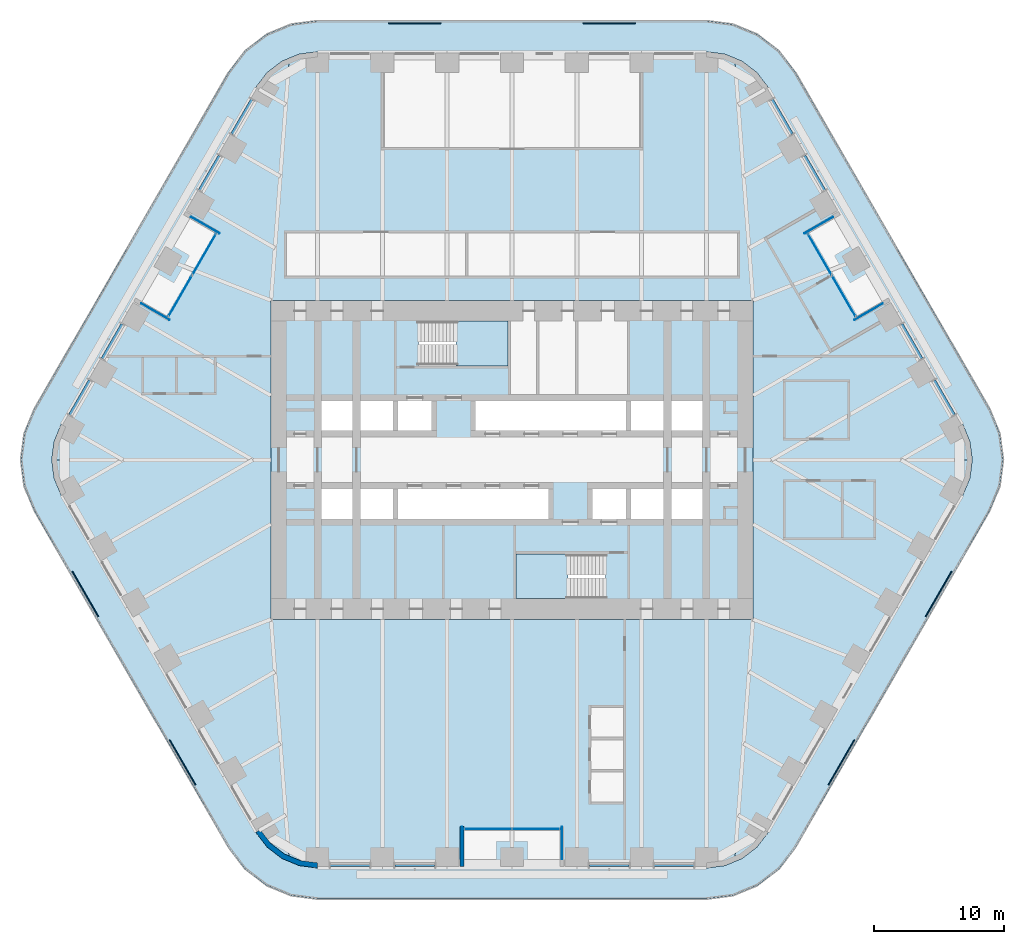
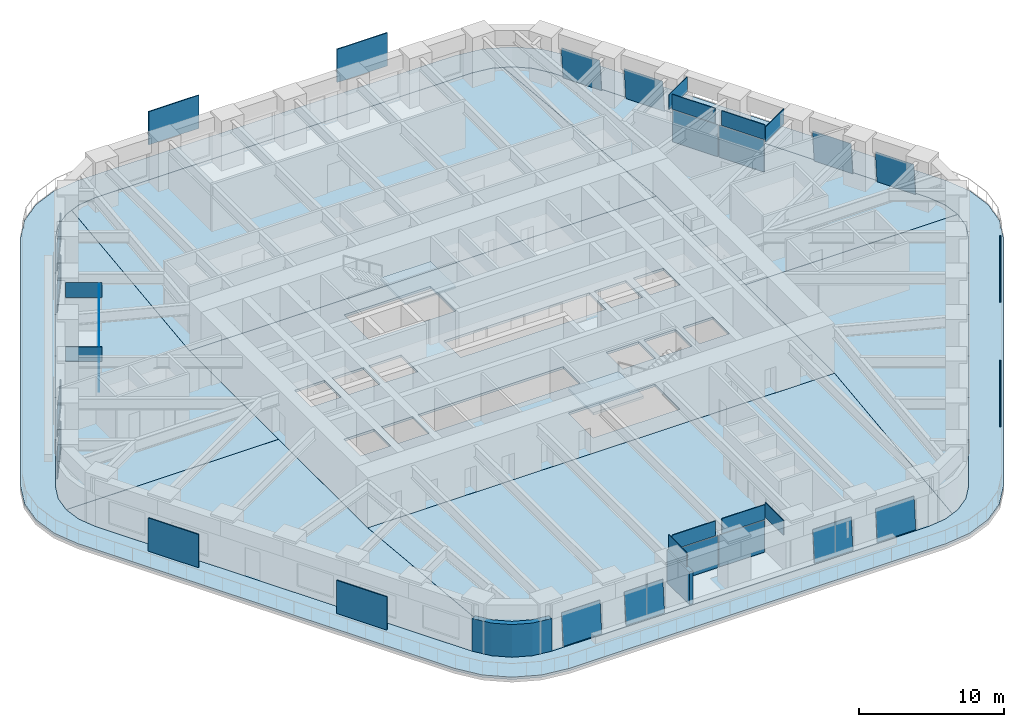
# One storey, part 16 of 24: 36 plates, 10 slabs, 2 walls, 17 elements without a shape of their own.
"""IFC4 building model written with IfcOpenShell, lengths in metres."""

from ifc_helpers import new_model, si_unit, direction, frame, frame_2d, origin, origin_2d, place, context, subcontext, project, spatial, polyline, rectangle, outline, extrude, material, layer, layer_set, type_object, element, aggregate, save


model = new_model("IFC4")

# Units and contexts
model_context = context("Model", 3, precision=1e-05, world=origin(), true_north=direction((0.0, 1.0)))
body_context = subcontext(model_context, "Body", "Model", "MODEL_VIEW")
ifc_project = project(units=[si_unit("LENGTHUNIT", "METRE"), si_unit("AREAUNIT", "SQUARE_METRE"), si_unit("VOLUMEUNIT", "CUBIC_METRE"), si_unit("PLANEANGLEUNIT", "RADIAN"), si_unit("MASSUNIT", "GRAM", prefix="KILO")], contexts=[model_context])

# Site, building, storey
site_placement = place(None, origin())
site = spatial("IfcSite", under=ifc_project, at=site_placement, CompositionType="ELEMENT")
building_placement = place(site_placement, origin())
building = spatial("IfcBuilding", under=site, at=building_placement, Name="Tarfa Lantern Tower", CompositionType="ELEMENT")
storey_placement = place(building_placement, frame((0.0, 0.0, 136.300048828125)))
storey = spatial("IfcBuildingStorey", under=building, at=storey_placement, Name="L30", CompositionType="ELEMENT", Elevation=136.300048828125)

# Slab
ifc_material_1 = material(Name="Concrete C40/50", Category="concrete")
ifc_layer_1 = layer(ifc_material_1, 0.199951171875)
ifc_layer_set_1 = layer_set([ifc_layer_1], Name="BS2 BALCONY SLAB 200")
slab_type_1 = type_object("IfcSlabType", Name="BS2 BALCONY SLAB 200", PredefinedType="FLOOR", material=ifc_layer_set_1)
slab_1_placement = place(storey_placement, frame((0.0, 0.0, -0.199951171875)))
element("IfcSlab", 1, at=slab_1_placement, inside=storey, type_object=slab_type_1, Name="Balcony L30", PredefinedType="FLOOR", context=body_context, shape_type="SweptSolid", body=[
    extrude(outline(polyline([(36.86376953125, 3.949951171875), (21.852783203125, 29.949951171875), (20.59716796875, 31.586181640625), (18.961181640625, 32.841552734375), (17.0556640625, 33.630859375), (15.010986328125, 33.89990234375), (-15.010986328125, 33.89990234375), (-17.0556640625, 33.630859375), (-18.961181640625, 32.841552734375), (-20.59716796875, 31.586181640625), (-21.852783203125, 29.949951171875), (-36.86376953125, 3.949951171875), (-37.653076171875, 2.044677734375), (-37.922119140625, 0.0), (-37.653076171875, -2.044677734375), (-36.86376953125, -3.949951171875), (-21.852783203125, -29.949951171875), (-20.59716796875, -31.586181640625), (-18.961181640625, -32.841552734375), (-17.0556640625, -33.630859375), (-15.010986328125, -33.89990234375), (15.010986328125, -33.89990234375), (17.0556640625, -33.630859375), (18.961181640625, -32.841552734375), (20.59716796875, -31.586181640625), (21.852783203125, -29.949951171875), (36.86376953125, -3.949951171875), (37.653076171875, -2.044677734375), (37.922119140625, 0.0), (37.653076171875, 2.044677734375), (36.86376953125, 3.949951171875)]), holes=[polyline([(34.785400390625, 2.75), (19.774169921875, 28.75), (18.900146484375, 29.88916015625), (17.760986328125, 30.76318359375), (16.4345703125, 31.3125), (15.010986328125, 31.5), (-15.010986328125, 31.5), (-16.4345703125, 31.3125), (-17.760986328125, 30.76318359375), (-18.900146484375, 29.88916015625), (-19.774169921875, 28.75), (-34.785400390625, 2.75), (-35.334716796875, 1.423583984375), (-35.522216796875, 0.0), (-35.334716796875, -1.423583984375), (-34.785400390625, -2.75), (-19.774169921875, -28.75), (-18.900146484375, -29.88916015625), (-17.760986328125, -30.76318359375), (-16.4345703125, -31.3125), (-15.010986328125, -31.5), (15.010986328125, -31.5), (16.4345703125, -31.3125), (17.760986328125, -30.76318359375), (18.900146484375, -29.88916015625), (19.774169921875, -28.75), (34.785400390625, -2.75), (35.334716796875, -1.423583984375), (35.522216796875, 0.0), (35.334716796875, 1.423583984375), (34.785400390625, 2.75)])]), origin(), (0.0, 0.0, 1.0), 0.199951171875),
])

# Curtain wall, plate
ifc_material_2 = material(Name="Aluminium framed curtain wall", Category="aluminium")
curtain_wall_type_1 = type_object("IfcCurtainWallType", Name="CW2 CANTED GLAZING MID ZONE 2750", PredefinedType="USERDEFINED", material=ifc_material_2)
curtain_wall_1_placement = place(storey_placement, origin())
curtain_wall_1 = element("IfcCurtainWall", 2, at=curtain_wall_1_placement, inside=storey, type_object=curtain_wall_type_1, Name="CW2 NE L30", ObjectType="CURTAIN WALL", PredefinedType="USERDEFINED")
ifc_material_3 = material(Name="Laminated double glazing", Category="glass")
ifc_layer_2 = layer(ifc_material_3, 0.028076171875)
ifc_layer_set_2 = layer_set([ifc_layer_2], Name="CWP1 DOUBLE GLAZED PANEL")
plate_type_1 = type_object("IfcPlateType", Name="CWP1 DOUBLE GLAZED PANEL", PredefinedType="CURTAIN_PANEL", material=ifc_layer_set_2)
plate_1_placement = place(storey_placement, frame((34.21630859375, 3.53564453125, 0.0), z_axis=(0.862474203143, 0.497938745246, 0.090527647133), x_axis=(-0.499991880912, 0.86603009129, 1.790231e-06)))
plate_1 = element("IfcPlate", 3, at=plate_1_placement, type_object=plate_type_1, Name="CW2 panel 1.1", PredefinedType="CURTAIN_PANEL", context=body_context, shape_type="SweptSolid", body=[
    extrude(outline(polyline([(0.0, 0.0), (3.073675531169508, 0.0), (3.0738863813359325, 2.6961235284847738), (-5.8296133198907e-07, 2.696134579420465), (0.0, 0.0)])), origin(), (0.0, 0.0, -1.0), 0.028076171875),
])
aggregate(curtain_wall_1, [plate_1])

curtain_wall_2_placement = place(storey_placement, origin())
curtain_wall_2 = element("IfcCurtainWall", 4, at=curtain_wall_2_placement, inside=storey, type_object=curtain_wall_type_1, Name="CW2 NE L30", ObjectType="CURTAIN WALL", PredefinedType="USERDEFINED")
plate_2_placement = place(storey_placement, frame((31.71435546875, 7.869140625, 0.0), z_axis=(0.862462547678, 0.497954850741, 0.09055009926), x_axis=(-0.500008936691, 0.866020244122, 0.0)))
plate_2 = element("IfcPlate", 5, at=plate_2_placement, type_object=plate_type_1, Name="CW2 panel 1.1", PredefinedType="CURTAIN_PANEL", context=body_context, shape_type="SweptSolid", body=[
    extrude(outline(polyline([(0.0, 0.0), (3.0736755317705216, -4.163336342344337e-17), (3.073674950011216, 2.6961345801056393), (-5.817593056460162e-07, 2.6961345801056393), (0.0, 0.0)])), origin(), (0.0, 0.0, -1.0), 0.028076171875),
])
aggregate(curtain_wall_2, [plate_2])

curtain_wall_3_placement = place(storey_placement, origin())
curtain_wall_3 = element("IfcCurtainWall", 6, at=curtain_wall_3_placement, inside=storey, type_object=curtain_wall_type_1, Name="CW2 NEB L30", ObjectType="CURTAIN WALL", PredefinedType="USERDEFINED")
plate_3_placement = place(storey_placement, frame((24.208740234375, 20.869140625, 0.0), z_axis=(0.862468669381, 0.497958385192, 0.090472321478), x_axis=(-0.500008936691, 0.866020244122, 0.0)))
plate_3 = element("IfcPlate", 7, at=plate_3_placement, type_object=plate_type_1, Name="CW2 panel 1.1", PredefinedType="CURTAIN_PANEL", context=body_context, shape_type="SweptSolid", body=[
    extrude(outline(polyline([(0.0, 0.0), (3.0736755317705216, -4.163336342344337e-17), (3.0735528775169065, 2.696115443254902), (-0.00012265425361507358, 2.696115443254902), (0.0, 0.0)])), origin(), (0.0, 0.0, -1.0), 0.028076171875),
])
aggregate(curtain_wall_3, [plate_3])

curtain_wall_4_placement = place(storey_placement, origin())
curtain_wall_4 = element("IfcCurtainWall", 8, at=curtain_wall_4_placement, inside=storey, type_object=curtain_wall_type_1, Name="CW2 NEB L30", ObjectType="CURTAIN WALL", PredefinedType="USERDEFINED")
plate_4_placement = place(storey_placement, frame((21.70703125, 25.202392578125, 0.0), z_axis=(0.862462547678, 0.497954850741, 0.09055009926), x_axis=(-0.500008936691, 0.866020244122, 0.0)))
plate_4 = element("IfcPlate", 9, at=plate_4_placement, type_object=plate_type_1, Name="CW2 panel 1.1", PredefinedType="CURTAIN_PANEL", context=body_context, shape_type="SweptSolid", body=[
    extrude(outline(polyline([(0.0, 0.0), (3.0736755317705216, -4.163336342344337e-17), (3.073674950011216, 2.6961345801056393), (-5.817593056460162e-07, 2.6961345801056393), (0.0, 0.0)])), origin(), (0.0, 0.0, -1.0), 0.028076171875),
])
aggregate(curtain_wall_4, [plate_4])

# Curtain wall, plates
curtain_wall_type_2 = type_object("IfcCurtainWallType", Name="CW10 LOGGIA GLAZING 2750", PredefinedType="USERDEFINED", material=ifc_material_2)
curtain_wall_5_placement = place(storey_placement, origin())
curtain_wall_5 = element("IfcCurtainWall", 10, at=curtain_wall_5_placement, inside=storey, type_object=curtain_wall_type_2, Name="CW10 NEL L30", ObjectType="CURTAIN WALL", PredefinedType="USERDEFINED")
plate_5_placement = place(storey_placement, frame((25.599609375, 12.660400390625, 0.0), z_axis=(0.0, 0.0, 1.0), x_axis=(-0.5, 0.866025403784, 0.0)))
plate_5 = element("IfcPlate", 11, at=plate_5_placement, type_object=plate_type_1, Name="CW10 panel 1.1", PredefinedType="CURTAIN_PANEL", context=body_context, shape_type="SweptSolid", body=[
    extrude(rectangle(XDim=3.606201171875, YDim=0.028076171875, at=origin_2d()), origin(), (0.0, 0.0, 1.0), 2.68505859375),
])
plate_6_placement = place(storey_placement, frame((23.763916015625, 15.839599609375, 0.0), z_axis=(0.0, 0.0, 1.0), x_axis=(-0.5, 0.866025403784, 0.0)))
plate_6 = element("IfcPlate", 12, at=plate_6_placement, type_object=plate_type_1, Name="CW10 panel 2.1", PredefinedType="CURTAIN_PANEL", context=body_context, shape_type="SweptSolid", body=[
    extrude(rectangle(XDim=3.606201171875, YDim=0.028076171875, at=origin_2d()), origin(), (0.0, 0.0, 1.0), 2.68505859375),
])
aggregate(curtain_wall_5, [plate_5, plate_6])

# Curtain wall, plate
curtain_wall_6_placement = place(storey_placement, origin())
curtain_wall_6 = element("IfcCurtainWall", 13, at=curtain_wall_6_placement, inside=storey, type_object=curtain_wall_type_1, Name="CW2 NW L30", ObjectType="CURTAIN WALL", PredefinedType="USERDEFINED")
plate_7_placement = place(storey_placement, frame((-20.170166015625, 27.8642578125, 0.0), z_axis=(-0.862462547678, 0.497954850741, 0.09055009926), x_axis=(-0.500008936691, -0.866020244122, 0.0)))
plate_7 = element("IfcPlate", 14, at=plate_7_placement, type_object=plate_type_1, Name="CW2 panel 1.1", PredefinedType="CURTAIN_PANEL", context=body_context, shape_type="SweptSolid", body=[
    extrude(outline(polyline([(0.0, 0.0), (3.0736755317705216, 4.163336342344337e-17), (3.0736761135298276, 2.6961345801056393), (5.817593056460162e-07, 2.6961345801056393), (0.0, 0.0)])), origin(), (0.0, 0.0, -1.0), 0.028076171875),
])
aggregate(curtain_wall_6, [plate_7])

curtain_wall_7_placement = place(storey_placement, origin())
curtain_wall_7 = element("IfcCurtainWall", 15, at=curtain_wall_7_placement, inside=storey, type_object=curtain_wall_type_1, Name="CW2 NW L30", ObjectType="CURTAIN WALL", PredefinedType="USERDEFINED")
plate_8_placement = place(storey_placement, frame((-22.671875, 23.531005859375, 0.0), z_axis=(-0.862468669381, 0.497958385192, 0.090472321478), x_axis=(-0.500008936691, -0.866020244122, 0.0)))
plate_8 = element("IfcPlate", 16, at=plate_8_placement, type_object=plate_type_1, Name="CW2 panel 1.1", PredefinedType="CURTAIN_PANEL", context=body_context, shape_type="SweptSolid", body=[
    extrude(outline(polyline([(0.0, 0.0), (3.0736755317705216, 4.163336342344337e-17), (3.073798186024137, 2.696115443254902), (0.00012265425361507358, 2.696115443254902), (0.0, 0.0)])), origin(), (0.0, 0.0, -1.0), 0.028076171875),
])
aggregate(curtain_wall_7, [plate_8])

curtain_wall_8_placement = place(storey_placement, origin())
curtain_wall_8 = element("IfcCurtainWall", 17, at=curtain_wall_8_placement, inside=storey, type_object=curtain_wall_type_1, Name="CW2 NWB L30", ObjectType="CURTAIN WALL", PredefinedType="USERDEFINED")
plate_9_placement = place(storey_placement, frame((-30.177490234375, 10.531005859375, 0.0), z_axis=(-0.862462547678, 0.497954850741, 0.09055009926), x_axis=(-0.500008936691, -0.866020244122, 0.0)))
plate_9 = element("IfcPlate", 18, at=plate_9_placement, type_object=plate_type_1, Name="CW2 panel 1.1", PredefinedType="CURTAIN_PANEL", context=body_context, shape_type="SweptSolid", body=[
    extrude(outline(polyline([(0.0, 0.0), (3.0736755317705216, 4.163336342344337e-17), (3.0736761135298276, 2.6961345801056393), (5.817593056460162e-07, 2.6961345801056393), (0.0, 0.0)])), origin(), (0.0, 0.0, -1.0), 0.028076171875),
])
aggregate(curtain_wall_8, [plate_9])

curtain_wall_9_placement = place(storey_placement, origin())
curtain_wall_9 = element("IfcCurtainWall", 19, at=curtain_wall_9_placement, inside=storey, type_object=curtain_wall_type_1, Name="CW2 NWB L30", ObjectType="CURTAIN WALL", PredefinedType="USERDEFINED")
plate_10_placement = place(storey_placement, frame((-32.679443359375, 6.197509765625, 0.0), z_axis=(-0.862474203143, 0.497938745246, 0.090527647133), x_axis=(-0.499991880912, -0.86603009129, -1.790231e-06)))
plate_10 = element("IfcPlate", 20, at=plate_10_placement, type_object=plate_type_1, Name="CW2 panel 1.1", PredefinedType="CURTAIN_PANEL", context=body_context, shape_type="SweptSolid", body=[
    extrude(outline(polyline([(0.0, 0.0), (3.073675531169508, 0.0), (3.07367611413084, 2.696134579420465), (-0.0002108501664242857, 2.6961235284847738), (0.0, 0.0)])), origin(), (0.0, 0.0, -1.0), 0.028076171875),
])
aggregate(curtain_wall_9, [plate_10])

# Curtain wall, plates
curtain_wall_10_placement = place(storey_placement, origin())
curtain_wall_10 = element("IfcCurtainWall", 21, at=curtain_wall_10_placement, inside=storey, type_object=curtain_wall_type_2, Name="CW10 NWL L30", ObjectType="CURTAIN WALL", PredefinedType="USERDEFINED")
plate_11_placement = place(storey_placement, frame((-23.763916015625, 15.839599609375, 0.0), z_axis=(0.0, 0.0, 1.0), x_axis=(-0.5, -0.866025403784, 0.0)))
plate_11 = element("IfcPlate", 22, at=plate_11_placement, type_object=plate_type_1, Name="CW10 panel 1.1", PredefinedType="CURTAIN_PANEL", context=body_context, shape_type="SweptSolid", body=[
    extrude(rectangle(XDim=3.606201171875, YDim=0.028076171875, at=origin_2d()), origin(), (0.0, 0.0, 1.0), 2.68505859375),
])
plate_12_placement = place(storey_placement, frame((-25.599609375, 12.660400390625, 0.0), z_axis=(0.0, 0.0, 1.0), x_axis=(-0.5, -0.866025403784, 0.0)))
plate_12 = element("IfcPlate", 23, at=plate_12_placement, type_object=plate_type_1, Name="CW10 panel 2.1", PredefinedType="CURTAIN_PANEL", context=body_context, shape_type="SweptSolid", body=[
    extrude(rectangle(XDim=3.606201171875, YDim=0.028076171875, at=origin_2d()), origin(), (0.0, 0.0, 1.0), 2.68505859375),
])
aggregate(curtain_wall_10, [plate_11, plate_12])

# Curtain wall, plate
curtain_wall_11_placement = place(storey_placement, origin())
curtain_wall_11 = element("IfcCurtainWall", 24, at=curtain_wall_11_placement, inside=storey, type_object=curtain_wall_type_1, Name="CW2 S L30", ObjectType="CURTAIN WALL", PredefinedType="USERDEFINED")
plate_13_placement = place(storey_placement, frame((-14.046142578125, -31.39990234375, 0.0), z_axis=(0.0, -0.995899883883, 0.090462264412), x_axis=(1.0, 0.0, 0.0)))
plate_13 = element("IfcPlate", 25, at=plate_13_placement, type_object=plate_type_1, Name="CW2 panel 1.1", PredefinedType="CURTAIN_PANEL", context=body_context, shape_type="SweptSolid", body=[
    extrude(outline(polyline([(0.0, 0.0), (3.07373046875, 0.0), (3.07373046875, 2.6961129699923947), (0.0, 2.6961129699923947), (0.0, 0.0)])), origin(), (0.0, 0.0, -1.0), 0.028076171875),
])
aggregate(curtain_wall_11, [plate_13])

curtain_wall_12_placement = place(storey_placement, origin())
curtain_wall_12 = element("IfcCurtainWall", 26, at=curtain_wall_12_placement, inside=storey, type_object=curtain_wall_type_1, Name="CW2 S L30", ObjectType="CURTAIN WALL", PredefinedType="USERDEFINED")
plate_14_placement = place(storey_placement, frame((-9.04248046875, -31.39990234375, 0.0), z_axis=(0.0, -0.995899883883, 0.090462264412), x_axis=(1.0, 0.0, 0.0)))
plate_14 = element("IfcPlate", 27, at=plate_14_placement, type_object=plate_type_1, Name="CW2 panel 1.1", PredefinedType="CURTAIN_PANEL", context=body_context, shape_type="SweptSolid", body=[
    extrude(outline(polyline([(0.0, 0.0), (3.07373046875, 0.0), (3.07373046875, 2.6961129699923947), (0.0, 2.6961129699923947), (0.0, 0.0)])), origin(), (0.0, 0.0, -1.0), 0.028076171875),
])
aggregate(curtain_wall_12, [plate_14])

curtain_wall_13_placement = place(storey_placement, origin())
curtain_wall_13 = element("IfcCurtainWall", 28, at=curtain_wall_13_placement, inside=storey, type_object=curtain_wall_type_1, Name="CW2 SB L30", ObjectType="CURTAIN WALL", PredefinedType="USERDEFINED")
plate_15_placement = place(storey_placement, frame((5.96875, -31.39990234375, 0.0), z_axis=(0.0, -0.995899883883, 0.090462264412), x_axis=(1.0, 0.0, 0.0)))
plate_15 = element("IfcPlate", 29, at=plate_15_placement, type_object=plate_type_1, Name="CW2 panel 1.1", PredefinedType="CURTAIN_PANEL", context=body_context, shape_type="SweptSolid", body=[
    extrude(outline(polyline([(0.0, 0.0), (3.07373046875, 0.0), (3.07373046875, 2.6961129699923947), (0.0, 2.6961129699923947), (0.0, 0.0)])), origin(), (0.0, 0.0, -1.0), 0.028076171875),
])
aggregate(curtain_wall_13, [plate_15])

curtain_wall_14_placement = place(storey_placement, origin())
curtain_wall_14 = element("IfcCurtainWall", 30, at=curtain_wall_14_placement, inside=storey, type_object=curtain_wall_type_1, Name="CW2 SB L30", ObjectType="CURTAIN WALL", PredefinedType="USERDEFINED")
plate_16_placement = place(storey_placement, frame((10.972412109375, -31.39990234375, 0.0), z_axis=(0.0, -0.995899883883, 0.090462264412), x_axis=(1.0, 0.0, 0.0)))
plate_16 = element("IfcPlate", 31, at=plate_16_placement, type_object=plate_type_1, Name="CW2 panel 1.1", PredefinedType="CURTAIN_PANEL", context=body_context, shape_type="SweptSolid", body=[
    extrude(outline(polyline([(0.0, 0.0), (3.07373046875, 0.0), (3.07373046875, 2.6961129699923947), (0.0, 2.6961129699923947), (0.0, 0.0)])), origin(), (0.0, 0.0, -1.0), 0.028076171875),
])
aggregate(curtain_wall_14, [plate_16])

# Curtain wall, plates
curtain_wall_15_placement = place(storey_placement, origin())
curtain_wall_15 = element("IfcCurtainWall", 32, at=curtain_wall_15_placement, inside=storey, type_object=curtain_wall_type_2, Name="CW10 SL L30", ObjectType="CURTAIN WALL", PredefinedType="USERDEFINED")
plate_17_placement = place(storey_placement, frame((-1.835693359375, -28.5, 0.0), z_axis=(0.0, 0.0, 1.0), x_axis=(1.0, 0.0, 0.0)))
plate_17 = element("IfcPlate", 33, at=plate_17_placement, type_object=plate_type_1, Name="CW10 panel 1.1", PredefinedType="CURTAIN_PANEL", context=body_context, shape_type="SweptSolid", body=[
    extrude(rectangle(XDim=3.606201171875, YDim=0.028076171875, at=origin_2d()), origin(), (0.0, 0.0, 1.0), 2.68505859375),
])
plate_18_placement = place(storey_placement, frame((1.835693359375, -28.5, 0.0), z_axis=(0.0, 0.0, 1.0), x_axis=(1.0, 0.0, 0.0)))
plate_18 = element("IfcPlate", 34, at=plate_18_placement, type_object=plate_type_1, Name="CW10 panel 2.1", PredefinedType="CURTAIN_PANEL", context=body_context, shape_type="SweptSolid", body=[
    extrude(rectangle(XDim=3.606201171875, YDim=0.028076171875, at=origin_2d()), origin(), (0.0, 0.0, 1.0), 2.68505859375),
])
aggregate(curtain_wall_15, [plate_17, plate_18])

# Slabs
ifc_layer_3 = layer(ifc_material_1, 0.199951171875)
ifc_layer_set_3 = layer_set([ifc_layer_3], Name="FS1 FLOOR SLAB 200")
slab_type_2 = type_object("IfcSlabType", Name="FS1 FLOOR SLAB 200", PredefinedType="FLOOR", material=ifc_layer_set_3)
slab_2_placement = place(storey_placement, frame((0.0, 0.0, -0.199951171875)))
element("IfcSlab", 35, at=slab_2_placement, inside=storey, type_object=slab_type_2, Name="Floor slab L30", PredefinedType="FLOOR", context=body_context, shape_type="SweptSolid", body=[
    extrude(outline(polyline([(-18.60009765625, -12.300048828125), (18.60009765625, -12.300048828125), (18.60009765625, 12.300048828125), (-18.60009765625, 12.300048828125), (-18.60009765625, -12.300048828125)]), holes=[polyline([(-14.699951171875, 2.25), (-12.300048828125, 2.25), (-12.300048828125, 4.550048828125), (-14.699951171875, 4.550048828125), (-14.699951171875, 2.25)]), polyline([(-11.699951171875, 2.25), (-9.199951171875, 2.25), (-9.199951171875, 4.550048828125), (-11.699951171875, 4.550048828125), (-11.699951171875, 2.25)]), polyline([(-8.800048828125, 2.25), (-6.199951171875, 2.25), (-6.199951171875, 4.550048828125), (-8.800048828125, 4.550048828125), (-8.800048828125, 2.25)]), polyline([(-2.800048828125, 2.25), (8.800048828125, 2.25), (8.800048828125, 4.550048828125), (-2.800048828125, 4.550048828125), (-2.800048828125, 2.25)]), polyline([(9.199951171875, 2.25), (11.699951171875, 2.25), (11.699951171875, 4.550048828125), (9.199951171875, 4.550048828125), (9.199951171875, 2.25)]), polyline([(12.300048828125, 2.25), (14.699951171875, 2.25), (14.699951171875, 4.550048828125), (12.300048828125, 4.550048828125), (12.300048828125, 2.25)]), polyline([(14.699951171875, -2.25), (12.300048828125, -2.25), (12.300048828125, -4.550048828125), (14.699951171875, -4.550048828125), (14.699951171875, -2.25)]), polyline([(11.699951171875, -2.25), (9.199951171875, -2.25), (9.199951171875, -4.550048828125), (11.699951171875, -4.550048828125), (11.699951171875, -2.25)]), polyline([(8.800048828125, -2.25), (6.199951171875, -2.25), (6.199951171875, -4.550048828125), (8.800048828125, -4.550048828125), (8.800048828125, -2.25)]), polyline([(2.800048828125, -2.25), (-8.800048828125, -2.25), (-8.800048828125, -4.550048828125), (2.800048828125, -4.550048828125), (2.800048828125, -2.25)]), polyline([(-9.199951171875, -2.25), (-11.699951171875, -2.25), (-11.699951171875, -4.550048828125), (-9.199951171875, -4.550048828125), (-9.199951171875, -2.25)]), polyline([(-12.300048828125, -2.25), (-14.699951171875, -2.25), (-14.699951171875, -4.550048828125), (-12.300048828125, -4.550048828125), (-12.300048828125, -2.25)]), polyline([(-7.199951171875, 7.25), (-0.300048828125, 7.25), (-0.300048828125, 10.699951171875), (-7.199951171875, 10.699951171875), (-7.199951171875, 7.25)]), polyline([(7.199951171875, -7.25), (0.300048828125, -7.25), (0.300048828125, -10.699951171875), (7.199951171875, -10.699951171875), (7.199951171875, -7.25)])]), origin(), (0.0, 0.0, 1.0), 0.199951171875),
])
slab_3_placement = place(storey_placement, frame((0.0, 0.0, -0.199951171875)))
element("IfcSlab", 36, at=slab_3_placement, inside=storey, type_object=slab_type_2, Name="Floor slab L30 NE bay", PredefinedType="FLOOR", context=body_context, shape_type="SweptSolid", body=[
    extrude(outline(polyline([(34.783447265625, 2.7490234375), (19.7724609375, 28.748779296875), (18.898681640625, 29.8876953125), (17.760009765625, 30.761474609375), (17.19189453125, 30.996826171875), (18.60205078125, 12.300048828125), (18.60205078125, 0.001953125), (35.52001953125, 0.001953125), (35.332763671875, 1.423095703125), (34.783447265625, 2.7490234375)])), origin(), (0.0, 0.0, 1.0), 0.199951171875),
])
slab_4_placement = place(storey_placement, frame((0.0, 0.0, -0.199951171875)))
element("IfcSlab", 37, at=slab_4_placement, inside=storey, type_object=slab_type_2, Name="Floor slab L30 N bay", PredefinedType="FLOOR", context=body_context, shape_type="SweptSolid", body=[
    extrude(outline(polyline([(-18.597900390625, 12.302001953125), (18.597900390625, 12.302001953125), (17.187744140625, 30.99853515625), (16.43408203125, 31.310546875), (15.010986328125, 31.498046875), (-15.010986328125, 31.498046875), (-16.43408203125, 31.310546875), (-17.187744140625, 30.99853515625), (-18.597900390625, 12.302001953125)])), origin(), (0.0, 0.0, 1.0), 0.199951171875),
])
slab_5_placement = place(storey_placement, frame((0.0, 0.0, -0.199951171875)))
element("IfcSlab", 38, at=slab_5_placement, inside=storey, type_object=slab_type_2, Name="Floor slab L30 NW bay", PredefinedType="FLOOR", context=body_context, shape_type="SweptSolid", body=[
    extrude(outline(polyline([(-18.60205078125, 0.001953125), (-18.60205078125, 12.300048828125), (-17.19189453125, 30.996826171875), (-17.760009765625, 30.761474609375), (-18.898681640625, 29.8876953125), (-19.7724609375, 28.748779296875), (-34.783447265625, 2.7490234375), (-35.332763671875, 1.423095703125), (-35.52001953125, 0.001953125), (-18.60205078125, 0.001953125)])), origin(), (0.0, 0.0, 1.0), 0.199951171875),
])
slab_6_placement = place(storey_placement, frame((0.0, 0.0, -0.199951171875)))
element("IfcSlab", 39, at=slab_6_placement, inside=storey, type_object=slab_type_2, Name="Floor slab L30 SW bay", PredefinedType="FLOOR", context=body_context, shape_type="SweptSolid", body=[
    extrude(outline(polyline([(-18.60205078125, -12.300048828125), (-18.60205078125, -0.001953125), (-35.52001953125, -0.001953125), (-35.332763671875, -1.423095703125), (-34.783447265625, -2.7490234375), (-19.7724609375, -28.748779296875), (-18.898681640625, -29.8876953125), (-17.760009765625, -30.761474609375), (-17.19189453125, -30.996826171875), (-18.60205078125, -12.300048828125)])), origin(), (0.0, 0.0, 1.0), 0.199951171875),
])
slab_7_placement = place(storey_placement, frame((0.0, 0.0, -0.199951171875)))
element("IfcSlab", 40, at=slab_7_placement, inside=storey, type_object=slab_type_2, Name="Floor slab L30 S bay", PredefinedType="FLOOR", context=body_context, shape_type="SweptSolid", body=[
    extrude(outline(polyline([(18.597900390625, -12.302001953125), (-18.597900390625, -12.302001953125), (-17.187744140625, -30.99853515625), (-16.43408203125, -31.310546875), (-15.010986328125, -31.498046875), (15.010986328125, -31.498046875), (16.43408203125, -31.310546875), (17.187744140625, -30.99853515625), (18.597900390625, -12.302001953125)])), origin(), (0.0, 0.0, 1.0), 0.199951171875),
])
slab_8_placement = place(storey_placement, frame((0.0, 0.0, -0.199951171875)))
element("IfcSlab", 41, at=slab_8_placement, inside=storey, type_object=slab_type_2, Name="Floor slab L30 SE bay", PredefinedType="FLOOR", context=body_context, shape_type="SweptSolid", body=[
    extrude(outline(polyline([(18.60205078125, -0.001953125), (18.60205078125, -12.300048828125), (17.19189453125, -30.996826171875), (17.760009765625, -30.761474609375), (18.898681640625, -29.8876953125), (19.7724609375, -28.748779296875), (34.783447265625, -2.7490234375), (35.332763671875, -1.423095703125), (35.52001953125, -0.001953125), (18.60205078125, -0.001953125)])), origin(), (0.0, 0.0, 1.0), 0.199951171875),
])

# Plates
ifc_material_4 = material(Name="Aluminium fascia panel", Category="aluminium")
ifc_layer_4 = layer(ifc_material_4, 0.050048828125)
ifc_layer_set_4 = layer_set([ifc_layer_4], Name="LF1 LOGGIA HEAD FASCIA 50")
plate_type_2 = type_object("IfcPlateType", Name="LF1 LOGGIA HEAD FASCIA 50", PredefinedType="USERDEFINED", material=ifc_layer_set_4)
for number, where, z_axis, x_axis, name in (
    (42, (25.670166015625, 12.5380859375, 2.75), (0.0, 0.0, 1.0), (-0.5, 0.866025403784, 0.0), "Loggia head fascia NE"),
    (43, (23.693359375, 15.9619140625, 2.75), (0.0, 0.0, 1.0), (-0.5, 0.866025403784, 0.0), "Loggia head fascia NE"),
):
    element("IfcPlate", number, at=place(storey_placement, frame(where, z_axis=z_axis, x_axis=x_axis)), inside=storey, type_object=plate_type_2, Name=name, ObjectType="FASCIA", PredefinedType="USERDEFINED", context=body_context, shape_type="SweptSolid", body=[
        extrude(rectangle(XDim=3.45361328125, YDim=0.050048828125, at=origin_2d()), origin(), (0.0, 0.0, 1.0), 1.25),
    ])
for number, where, z_axis, x_axis, name in (
    (44, (27.526611328125, 11.442626953125, 2.75), (0.0, 0.0, 1.0), (-0.866025403784, -0.5, 0.0), "Loggia head fascia NE"),
    (45, (23.6728515625, 18.117431640625, 2.75), (0.0, 0.0, 1.0), (-0.866025403784, -0.5, 0.0), "Loggia head fascia NE"),
):
    element("IfcPlate", number, at=place(storey_placement, frame(where, z_axis=z_axis, x_axis=x_axis)), inside=storey, type_object=plate_type_2, Name=name, ObjectType="FASCIA", PredefinedType="USERDEFINED", context=body_context, shape_type="SweptSolid", body=[
        extrude(rectangle(XDim=2.52001953125, YDim=0.050048828125, at=origin_2d()), origin(), (0.0, 0.0, 1.0), 1.25),
    ])
for number, where, z_axis, x_axis, name in (
    (46, (-23.693359375, 15.9619140625, 2.75), (0.0, 0.0, 1.0), (-0.5, -0.866025403784, 0.0), "Loggia head fascia NW"),
    (47, (-25.670166015625, 12.5380859375, 2.75), (0.0, 0.0, 1.0), (-0.5, -0.866025403784, 0.0), "Loggia head fascia NW"),
):
    element("IfcPlate", number, at=place(storey_placement, frame(where, z_axis=z_axis, x_axis=x_axis)), inside=storey, type_object=plate_type_2, Name=name, ObjectType="FASCIA", PredefinedType="USERDEFINED", context=body_context, shape_type="SweptSolid", body=[
        extrude(rectangle(XDim=3.45361328125, YDim=0.050048828125, at=origin_2d()), origin(), (0.0, 0.0, 1.0), 1.25),
    ])
for number, where, z_axis, x_axis, name in (
    (48, (-23.6728515625, 18.117431640625, 2.75), (0.0, 0.0, 1.0), (0.866025403784, -0.5, 0.0), "Loggia head fascia NW"),
    (49, (-27.526611328125, 11.442626953125, 2.75), (0.0, 0.0, 1.0), (0.866025403784, -0.5, 0.0), "Loggia head fascia NW"),
):
    element("IfcPlate", number, at=place(storey_placement, frame(where, z_axis=z_axis, x_axis=x_axis)), inside=storey, type_object=plate_type_2, Name=name, ObjectType="FASCIA", PredefinedType="USERDEFINED", context=body_context, shape_type="SweptSolid", body=[
        extrude(rectangle(XDim=2.52001953125, YDim=0.050048828125, at=origin_2d()), origin(), (0.0, 0.0, 1.0), 1.25),
    ])
for number, where, z_axis, x_axis, name in (
    (50, (-1.976806640625, -28.5, 2.75), (0.0, 0.0, 1.0), (1.0, 0.0, 0.0), "Loggia head fascia S"),
    (51, (1.976806640625, -28.5, 2.75), (0.0, 0.0, 1.0), (1.0, 0.0, 0.0), "Loggia head fascia S"),
):
    element("IfcPlate", number, at=place(storey_placement, frame(where, z_axis=z_axis, x_axis=x_axis)), inside=storey, type_object=plate_type_2, Name=name, ObjectType="FASCIA", PredefinedType="USERDEFINED", context=body_context, shape_type="SweptSolid", body=[
        extrude(rectangle(XDim=3.45361328125, YDim=0.050048828125, at=origin_2d()), origin(), (0.0, 0.0, 1.0), 1.25),
    ])
for number, where, z_axis, x_axis, name in (
    (52, (-3.853759765625, -29.56005859375, 2.75), (0.0, 0.0, 1.0), (0.0, 1.0, 0.0), "Loggia head fascia S"),
    (53, (3.853759765625, -29.56005859375, 2.75), (0.0, 0.0, 1.0), (0.0, 1.0, 0.0), "Loggia head fascia S"),
):
    element("IfcPlate", number, at=place(storey_placement, frame(where, z_axis=z_axis, x_axis=x_axis)), inside=storey, type_object=plate_type_2, Name=name, ObjectType="FASCIA", PredefinedType="USERDEFINED", context=body_context, shape_type="SweptSolid", body=[
        extrude(rectangle(XDim=2.52001953125, YDim=0.050048828125, at=origin_2d()), origin(), (0.0, 0.0, 1.0), 1.25),
    ])
ifc_material_5 = material(Name="Perforated limestone screen", Category="masonry")
ifc_layer_5 = layer(ifc_material_5, 0.080078125)
ifc_layer_set_5 = layer_set([ifc_layer_5], Name="SC1 STONE SCREEN 80")
plate_type_3 = type_object("IfcPlateType", Name="SC1 STONE SCREEN 80", PredefinedType="USERDEFINED", material=ifc_layer_set_5)
for number, where, z_axis, x_axis, name in (
    (54, (7.505615234375, 33.699951171875, 1.19970703125), (0.0, 0.0, 1.0), (-1.0, 0.0, 0.0), "Stone screen N 1"),
    (55, (-7.505615234375, 33.699951171875, 1.19970703125), (0.0, 0.0, 1.0), (-1.0, 0.0, 0.0), "Stone screen N 2"),
    (56, (-32.937744140625, -10.35009765625, 1.19970703125), (0.0, 0.0, 1.0), (0.5, -0.866025403784, 0.0), "Stone screen SW 1"),
    (57, (-25.432373046875, -23.35009765625, 1.19970703125), (0.0, 0.0, 1.0), (0.5, -0.866025403784, 0.0), "Stone screen SW 2"),
    (58, (25.432373046875, -23.35009765625, 1.19970703125), (0.0, 0.0, 1.0), (0.5, 0.866025403784, 0.0), "Stone screen SE 1"),
    (59, (32.937744140625, -10.35009765625, 1.19970703125), (0.0, 0.0, 1.0), (0.5, 0.866025403784, 0.0), "Stone screen SE 2"),
):
    element("IfcPlate", number, at=place(storey_placement, frame(where, z_axis=z_axis, x_axis=x_axis)), inside=storey, type_object=plate_type_3, Name=name, ObjectType="SCREEN", PredefinedType="USERDEFINED", context=body_context, shape_type="SweptSolid", body=[
        extrude(rectangle(XDim=4.0, YDim=0.080078125, at=origin_2d()), origin(), (0.0, 0.0, 1.0), 2.800048828125),
    ])

# Stair, slab
stair_type = type_object("IfcStairType", Name="ST-T10 HALF-TURN STAIR 4200 RISE", PredefinedType="HALF_TURN_STAIR", material=ifc_material_1)
stair_1_placement = place(storey_placement, origin())
stair_1 = element("IfcStair", 60, at=stair_1_placement, inside=storey, type_object=stair_type, Name="Stair ST1", PredefinedType="HALF_TURN_STAIR")
ifc_layer_6 = layer(ifc_material_1, 0.199951171875)
ifc_layer_set_6 = layer_set([ifc_layer_6], Name="SL1 STAIR LANDING 200")
slab_type_3 = type_object("IfcSlabType", Name="SL1 STAIR LANDING 200", PredefinedType="LANDING", material=ifc_layer_set_6)
slab_9_placement = place(storey_placement, frame((0.0, 0.0, 1.89990234375)))
slab_9 = element("IfcSlab", 61, at=slab_9_placement, type_object=slab_type_3, Name="ST1 landing 1", PredefinedType="LANDING", context=body_context, shape_type="SweptSolid", body=[
    extrude(outline(polyline([(-4.320068359375, 7.25), (-0.300048828125, 7.25), (-0.300048828125, 10.699951171875), (-4.320068359375, 10.699951171875), (-4.320068359375, 7.25)])), origin(), (0.0, 0.0, 1.0), 0.199951171875),
])
aggregate(stair_1, [slab_9])

stair_2_placement = place(storey_placement, origin())
stair_2 = element("IfcStair", 62, at=stair_2_placement, inside=storey, type_object=stair_type, Name="Stair ST2", PredefinedType="HALF_TURN_STAIR")
slab_10_placement = place(storey_placement, frame((0.0, 0.0, 1.89990234375)))
slab_10 = element("IfcSlab", 63, at=slab_10_placement, type_object=slab_type_3, Name="ST2 landing 1", PredefinedType="LANDING", context=body_context, shape_type="SweptSolid", body=[
    extrude(outline(polyline([(4.320068359375, -7.25), (0.300048828125, -7.25), (0.300048828125, -10.699951171875), (4.320068359375, -10.699951171875), (4.320068359375, -7.25)])), origin(), (0.0, 0.0, 1.0), 0.199951171875),
])
aggregate(stair_2, [slab_10])

# Walls
ifc_material_6 = material(Name="Limestone cladding on blockwork", Category="masonry")
ifc_layer_7 = layer(ifc_material_6, 0.300048828125)
ifc_layer_set_7 = layer_set([ifc_layer_7], Name="EW1 STONE-CLAD WALL 300")
wall_type_1 = type_object("IfcWallType", Name="EW1 STONE-CLAD WALL 300", PredefinedType="SOLIDWALL", material=ifc_layer_set_7)
wall_1_placement = place(storey_placement, frame((-3.853759765625, -31.39990234375, 0.0), z_axis=(0.0, 0.0, 1.0), x_axis=(0.0, 1.0, 0.0)))
element("IfcWall", 64, at=wall_1_placement, inside=storey, type_object=wall_type_1, Name="Loggia return S 1", PredefinedType="SOLIDWALL", context=body_context, shape_type="SweptSolid", body=[
    extrude(rectangle(XDim=3.099853515625, YDim=0.300048828125, at=frame_2d((1.5498046875, 0.0))), origin(), (0.0, 0.0, 1.0), 2.75),
])
ifc_layer_8 = layer(ifc_material_6, 0.39990234375)
ifc_layer_set_8 = layer_set([ifc_layer_8], Name="EW2 CURVED STONE CORNER 400")
wall_type_2 = type_object("IfcWallType", Name="EW2 CURVED STONE CORNER 400", PredefinedType="SOLIDWALL", material=ifc_layer_set_8)
wall_2_placement = place(storey_placement, origin())
element("IfcWall", 65, at=wall_2_placement, inside=storey, type_object=wall_type_2, Name="Stone corner SW-S", PredefinedType="SOLIDWALL", context=body_context, shape_type="SweptSolid", body=[
    extrude(outline(polyline([(-19.774169921875, -28.75), (-18.900146484375, -29.88916015625), (-17.760986328125, -30.76318359375), (-16.4345703125, -31.3125), (-15.010986328125, -31.5), (-15.010986328125, -31.10009765625), (-16.3310546875, -30.92626953125), (-17.56103515625, -30.416748046875), (-18.617431640625, -29.606201171875), (-19.427734375, -28.550048828125), (-19.774169921875, -28.75)])), origin(), (0.0, 0.0, 1.0), 2.75),
])

save(model, "model.ifc")
